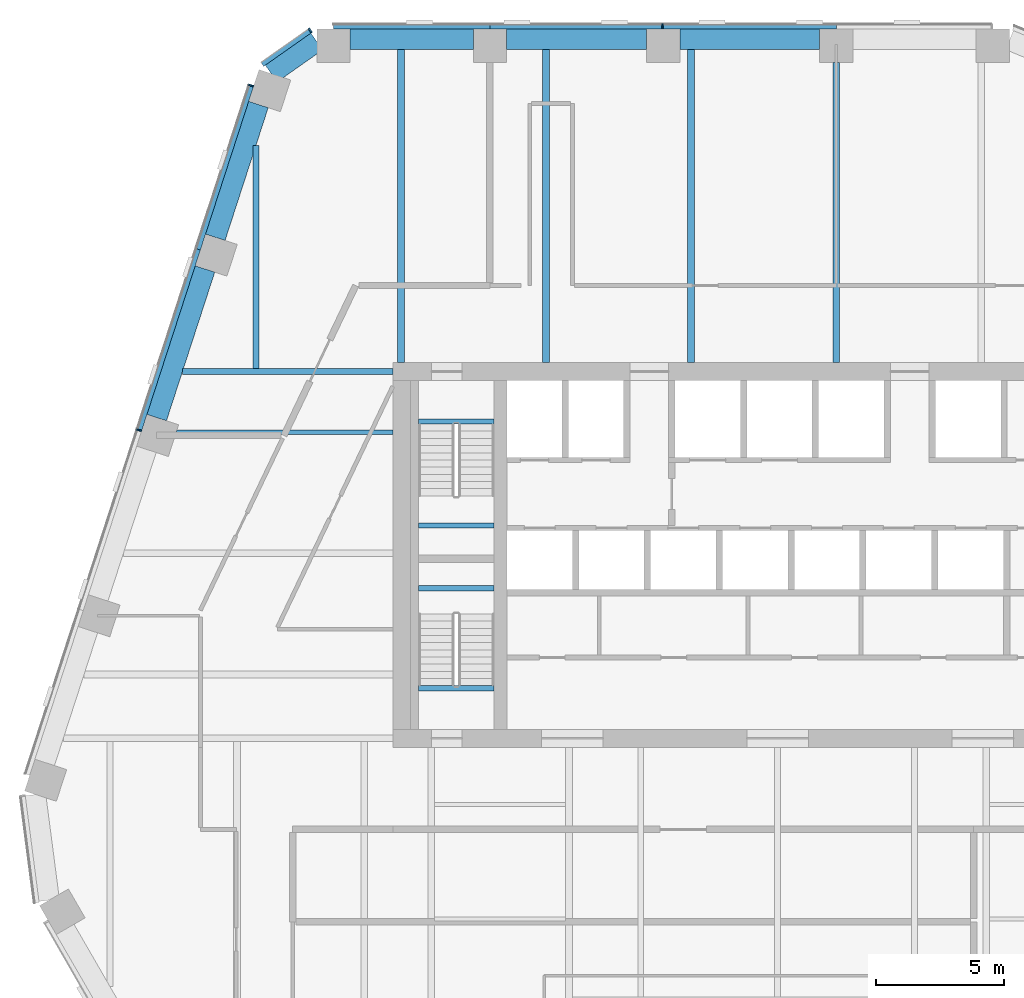
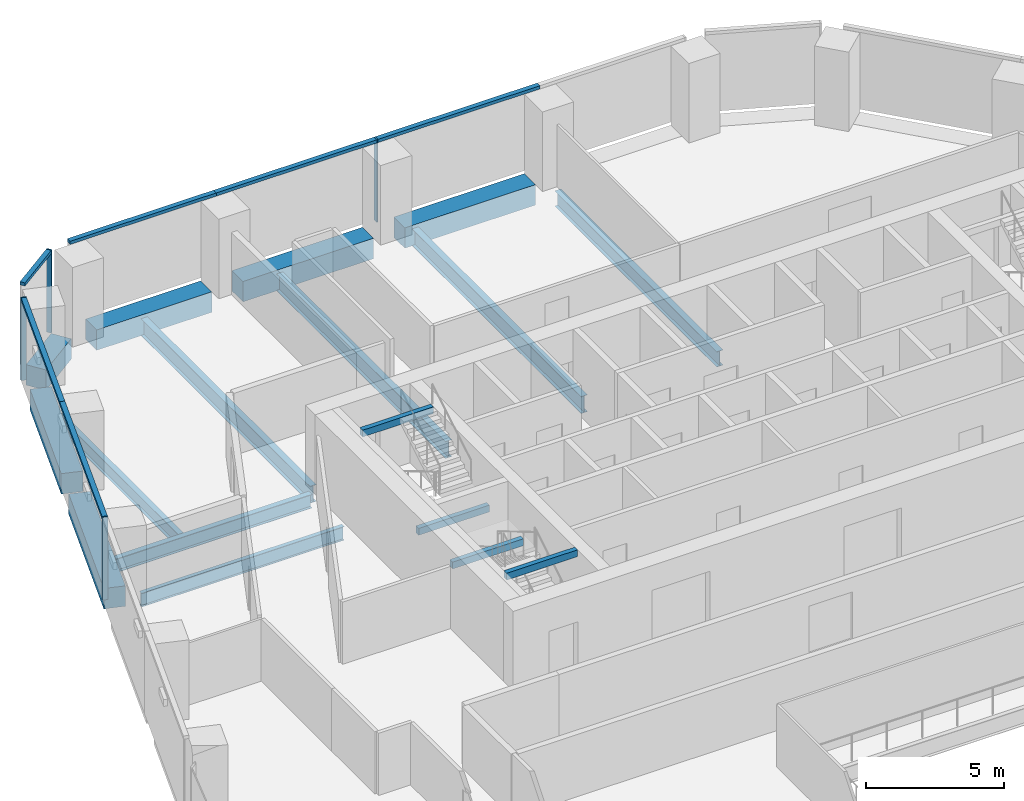
# One storey, part 7 of 17: 17 beams, 10 members, 3 elements without a shape of their own.
"""IFC4 building model written with IfcOpenShell, lengths in metres."""

from ifc_helpers import new_model, si_unit, direction, frame, origin, origin_2d, place, context, subcontext, project, spatial, rectangle, i_section, extrude, material, layer, layer_set, material_profile, profile_set, type_object, element, aggregate, save


model = new_model("IFC4")

# Units and contexts
model_context = context("Model", 3, precision=1e-05, world=origin(), true_north=direction((0.0, 1.0)))
body_context = subcontext(model_context, "Body", "Model", "MODEL_VIEW")
ifc_project = project(units=[si_unit("LENGTHUNIT", "METRE"), si_unit("AREAUNIT", "SQUARE_METRE"), si_unit("VOLUMEUNIT", "CUBIC_METRE"), si_unit("PLANEANGLEUNIT", "RADIAN"), si_unit("MASSUNIT", "GRAM", prefix="KILO")], contexts=[model_context])

# Site, building, storey
site_placement = place(None, origin())
site = spatial("IfcSite", under=ifc_project, at=site_placement, CompositionType="ELEMENT")
building_placement = place(site_placement, origin())
building = spatial("IfcBuilding", under=site, at=building_placement, Name="Isthmus Gate Tower", CompositionType="ELEMENT")
storey_placement = place(building_placement, frame((0.0, 0.0, 200.0)))
storey = spatial("IfcBuildingStorey", under=building, at=storey_placement, Name="L50", CompositionType="ELEMENT", Elevation=200.0)

# Curtain wall, member
ifc_material_1 = material(Name="Aluminium, pale champagne anodised", Category="aluminium")
ifc_layer = layer(ifc_material_1, 0.199951171875)
ifc_layer_set = layer_set([ifc_layer], Name="CW-1 UNITISED CURTAIN WALL 200 DEEP")
curtain_wall_type = type_object("IfcCurtainWallType", Name="CW-1 UNITISED CURTAIN WALL 200 DEEP", PredefinedType="NOTDEFINED", material=ifc_layer_set)
curtain_wall_1_placement = place(storey_placement, origin())
curtain_wall_1 = element("IfcCurtainWall", 1, at=curtain_wall_1_placement, inside=storey, type_object=curtain_wall_type, Name="CW-1 N L50", PredefinedType="NOTDEFINED")
ifc_material_2 = material(Name="Aluminium, pale champagne anodised", Category="aluminium")
ifc_material_profile_1 = material_profile(ifc_material_2, rectangle(XDim=0.06005859375, YDim=0.199951171875, at=origin_2d()), Name="60x200")
ifc_profile_set_1 = profile_set([ifc_material_profile_1], Name="Aluminium, pale champagne anodised")
member_type_1 = type_object("IfcMemberType", Name="CW-1 MULLION 60 X 200", PredefinedType="MULLION", material=ifc_profile_set_1)
member_1_placement = place(storey_placement, frame((-4.49169921875, 28.10009765625, 0.0), z_axis=(0.0, 0.0, 1.0), x_axis=(-1.0, 0.0, 0.0)))
member_1 = element("IfcMember", 2, at=member_1_placement, type_object=member_type_1, Name="CW-1 mullion", PredefinedType="MULLION", context=body_context, shape_type="SweptSolid", body=[
    extrude(rectangle(XDim=0.06005859375, YDim=0.199951171875, at=origin_2d()), origin(), (0.0, 0.0, 1.0), 3.64990234375),
])

curtain_wall_2_placement = place(storey_placement, origin())
curtain_wall_2 = element("IfcCurtainWall", 3, at=curtain_wall_2_placement, inside=storey, type_object=curtain_wall_type, Name="CW-1 N-NW L50", PredefinedType="NOTDEFINED")
member_2_placement = place(storey_placement, frame((-18.216552734375, 27.943115234375, 0.0), z_axis=(0.0, 0.0, 1.0), x_axis=(-0.81785959165, -0.57541783805, 0.0)))
member_2 = element("IfcMember", 4, at=member_2_placement, type_object=member_type_1, Name="CW-1 mullion", PredefinedType="MULLION", context=body_context, shape_type="SweptSolid", body=[
    extrude(rectangle(XDim=0.06005859375, YDim=0.199951171875, at=origin_2d()), origin(), (0.0, 0.0, 1.0), 3.64990234375),
])

# Curtain wall, members
curtain_wall_3_placement = place(storey_placement, origin())
curtain_wall_3 = element("IfcCurtainWall", 5, at=curtain_wall_3_placement, inside=storey, type_object=curtain_wall_type, Name="CW-1 NW L50", PredefinedType="NOTDEFINED")
member_3_placement = place(storey_placement, frame((-20.52001953125, 25.799072265625, 0.0), z_axis=(0.0, 0.0, 1.0), x_axis=(-0.309016994375, -0.951056516295, 0.0)))
member_3 = element("IfcMember", 6, at=member_3_placement, type_object=member_type_1, Name="CW-1 mullion", PredefinedType="MULLION", context=body_context, shape_type="SweptSolid", body=[
    extrude(rectangle(XDim=0.06005859375, YDim=0.199951171875, at=origin_2d()), origin(), (0.0, 0.0, 1.0), 3.64990234375),
])
member_4_placement = place(storey_placement, frame((-24.886962890625, 12.359130859375, 0.0), z_axis=(0.0, 0.0, 1.0), x_axis=(-0.309016994375, -0.951056516295, 0.0)))
member_4 = element("IfcMember", 7, at=member_4_placement, type_object=member_type_1, Name="CW-1 mullion", PredefinedType="MULLION", context=body_context, shape_type="SweptSolid", body=[
    extrude(rectangle(XDim=0.06005859375, YDim=0.199951171875, at=origin_2d()), origin(), (0.0, 0.0, 1.0), 3.64990234375),
])

# Member
ifc_material_3 = material(Name="Aluminium, pale champagne anodised", Category="aluminium")
ifc_material_profile_2 = material_profile(ifc_material_3, rectangle(XDim=0.199951171875, YDim=0.139892578125, at=origin_2d()), Name="200x140")
ifc_profile_set_2 = profile_set([ifc_material_profile_2], Name="Aluminium, pale champagne anodised")
member_type_2 = type_object("IfcMemberType", Name="CW-1 TRANSOM 200 X 140", PredefinedType="USERDEFINED", material=ifc_profile_set_2)
member_5_placement = place(storey_placement, frame((2.288330078125, 28.10009765625, 3.580078125), z_axis=(-1.0, 0.0, 0.0), x_axis=(0.0, -1.0, 0.0)))
member_5 = element("IfcMember", 8, at=member_5_placement, type_object=member_type_2, Name="CW-1 transom", ObjectType="TRANSOM", PredefinedType="USERDEFINED", context=body_context, shape_type="SweptSolid", body=[
    extrude(rectangle(XDim=0.199951171875, YDim=0.139892578125, at=origin_2d()), origin(), (0.0, 0.0, 1.0), 6.75),
])

member_6_placement = place(storey_placement, frame((-4.521728515625, 28.10009765625, 3.580078125), z_axis=(-1.0, 0.0, 0.0), x_axis=(0.0, -1.0, 0.0)))
member_6 = element("IfcMember", 9, at=member_6_placement, type_object=member_type_2, Name="CW-1 transom", ObjectType="TRANSOM", PredefinedType="USERDEFINED", context=body_context, shape_type="SweptSolid", body=[
    extrude(rectangle(XDim=0.199951171875, YDim=0.139892578125, at=origin_2d()), origin(), (0.0, 0.0, 1.0), 6.690185546875),
])

member_7_placement = place(storey_placement, frame((-11.2119140625, 28.10009765625, 3.580078125), z_axis=(-1.0, 0.0, 0.0), x_axis=(0.0, -1.0, 0.0)))
member_7 = element("IfcMember", 10, at=member_7_placement, type_object=member_type_2, Name="CW-1 transom", ObjectType="TRANSOM", PredefinedType="USERDEFINED", context=body_context, shape_type="SweptSolid", body=[
    extrude(rectangle(XDim=0.199951171875, YDim=0.139892578125, at=origin_2d()), origin(), (0.0, 0.0, 1.0), 6.10009765625),
])

aggregate(curtain_wall_1, [member_5, member_1, member_6, member_7])

member_8_placement = place(storey_placement, frame((-18.2412109375, 27.92578125, 3.580078125), z_axis=(-0.817868595604, -0.575405040233, 0.0), x_axis=(0.575405040233, -0.817868595604, 0.0)))
member_8 = element("IfcMember", 11, at=member_8_placement, type_object=member_type_2, Name="CW-1 transom", ObjectType="TRANSOM", PredefinedType="USERDEFINED", context=body_context, shape_type="SweptSolid", body=[
    extrude(rectangle(XDim=0.199951171875, YDim=0.139892578125, at=origin_2d()), origin(), (0.0, 0.0, 1.0), 2.258544921875),
])

aggregate(curtain_wall_2, [member_2, member_8])

member_9_placement = place(storey_placement, frame((-20.529296875, 25.7705078125, 3.580078125), z_axis=(-0.309015834351, -0.951056893209, 0.0), x_axis=(0.951056893209, -0.309015834351, 0.0)))
member_9 = element("IfcMember", 12, at=member_9_placement, type_object=member_type_2, Name="CW-1 transom", ObjectType="TRANSOM", PredefinedType="USERDEFINED", context=body_context, shape_type="SweptSolid", body=[
    extrude(rectangle(XDim=0.199951171875, YDim=0.139892578125, at=origin_2d()), origin(), (0.0, 0.0, 1.0), 6.6806640625),
])

member_10_placement = place(storey_placement, frame((-22.59375, 19.416748046875, 3.580078125), z_axis=(-0.309024076379, -0.951054215183, 0.0), x_axis=(0.951054215183, -0.309024076379, 0.0)))
member_10 = element("IfcMember", 13, at=member_10_placement, type_object=member_type_2, Name="CW-1 transom", ObjectType="TRANSOM", PredefinedType="USERDEFINED", context=body_context, shape_type="SweptSolid", body=[
    extrude(rectangle(XDim=0.199951171875, YDim=0.139892578125, at=origin_2d()), origin(), (0.0, 0.0, 1.0), 7.390869140625),
])

aggregate(curtain_wall_3, [member_3, member_9, member_10, member_4])

# Beams
ifc_material_4 = material(Name="Concrete f'c 60 MPa", Category="concrete")
ifc_material_profile_3 = material_profile(ifc_material_4, rectangle(XDim=0.800048828125, YDim=0.89990234375, at=origin_2d()), Name="RC 800X900")
ifc_profile_set_3 = profile_set([ifc_material_profile_3], Name="Concrete f'c 60 MPa")
beam_type_1 = type_object("IfcBeamType", Name="RC SPANDREL 800 X 900", PredefinedType="SPANDREL", material=ifc_profile_set_3)
beam_1_placement = place(storey_placement, frame((-24.201416015625, 12.851318359375, -0.449951171875), z_axis=(0.309039848514, 0.951049090232, 0.0), x_axis=(-0.951049090232, 0.309039848514, 0.0)))
element("IfcBeam", 14, at=beam_1_placement, inside=storey, type_object=beam_type_1, Name="str-spandrel-L50-23", PredefinedType="SPANDREL", context=body_context, shape_type="SweptSolid", body=[
    extrude(rectangle(XDim=0.800048828125, YDim=0.89990234375, at=origin_2d()), origin(), (0.0, 0.0, 1.0), 6.0908203125),
])
beam_2_placement = place(storey_placement, frame((-21.91748046875, 19.88037109375, -0.449951171875), z_axis=(0.309030267747, 0.951052203413, 0.0), x_axis=(-0.951052203413, 0.309030267747, 0.0)))
element("IfcBeam", 15, at=beam_2_placement, inside=storey, type_object=beam_type_1, Name="str-spandrel-L50-24", PredefinedType="SPANDREL", context=body_context, shape_type="SweptSolid", body=[
    extrude(rectangle(XDim=0.800048828125, YDim=0.89990234375, at=origin_2d()), origin(), (0.0, 0.0, 1.0), 5.44091796875),
])
beam_3_placement = place(storey_placement, frame((-19.7392578125, 26.260498046875, -0.449951171875), z_axis=(0.817857331203, 0.575421050882, 0.0), x_axis=(-0.575421050882, 0.817857331203, 0.0)))
element("IfcBeam", 16, at=beam_3_placement, inside=storey, type_object=beam_type_1, Name="str-spandrel-L50-25", PredefinedType="SPANDREL", context=body_context, shape_type="SweptSolid", body=[
    extrude(rectangle(XDim=0.800048828125, YDim=0.89990234375, at=origin_2d()), origin(), (0.0, 0.0, 1.0), 2.173095703125),
])
beam_4_placement = place(storey_placement, frame((-16.661865234375, 27.60009765625, -0.449951171875), z_axis=(1.0, 0.0, 0.0), x_axis=(0.0, 1.0, 0.0)))
element("IfcBeam", 17, at=beam_4_placement, inside=storey, type_object=beam_type_1, Name="str-spandrel-L50-26", PredefinedType="SPANDREL", context=body_context, shape_type="SweptSolid", body=[
    extrude(rectangle(XDim=0.800048828125, YDim=0.89990234375, at=origin_2d()), origin(), (0.0, 0.0, 1.0), 4.800048828125),
])
beam_5_placement = place(storey_placement, frame((-10.561767578125, 27.60009765625, -0.449951171875), z_axis=(1.0, 0.0, 0.0), x_axis=(0.0, 1.0, 0.0)))
element("IfcBeam", 18, at=beam_5_placement, inside=storey, type_object=beam_type_1, Name="str-spandrel-L50-27", PredefinedType="SPANDREL", context=body_context, shape_type="SweptSolid", body=[
    extrude(rectangle(XDim=0.800048828125, YDim=0.89990234375, at=origin_2d()), origin(), (0.0, 0.0, 1.0), 5.449951171875),
])
beam_6_placement = place(storey_placement, frame((-3.811767578125, 27.60009765625, -0.449951171875), z_axis=(1.0, 0.0, 0.0), x_axis=(0.0, 1.0, 0.0)))
element("IfcBeam", 19, at=beam_6_placement, inside=storey, type_object=beam_type_1, Name="str-spandrel-L50-28", PredefinedType="SPANDREL", context=body_context, shape_type="SweptSolid", body=[
    extrude(rectangle(XDim=0.800048828125, YDim=0.89990234375, at=origin_2d()), origin(), (0.0, 0.0, 1.0), 5.4501953125),
])
ifc_material_5 = material(Name="Concrete f'c 40 MPa", Category="concrete")
ifc_material_profile_4 = material_profile(ifc_material_5, rectangle(XDim=0.199951171875, YDim=0.300048828125, at=origin_2d()), Name="STAIR LANDING BEAM RC 200 X 300")
ifc_profile_set_4 = profile_set([ifc_material_profile_4], Name="Concrete f'c 40 MPa")
beam_type_2 = type_object("IfcBeamType", Name="STAIR LANDING BEAM RC 200 X 300", PredefinedType="BEAM", material=ifc_profile_set_4)
for number, where, z_axis, x_axis, name in (
    (20, (-14.0, 8.64990234375, 1.47509765625), (1.0, 0.0, 0.0), (0.0, 1.0, 0.0), "L50 ST1 landing beam 1"),
    (21, (-14.0, 12.7001953125, 3.35009765625), (1.0, 0.0, 0.0), (0.0, 1.0, 0.0), "L50 ST1 floor-edge seat beam"),
    (22, (-14.0, 6.199951171875, 1.47509765625), (1.0, 0.0, 0.0), (0.0, 1.0, 0.0), "L50 ST7 landing beam 1"),
    (23, (-14.0, 2.2998046875, 3.35009765625), (1.0, 0.0, 0.0), (0.0, 1.0, 0.0), "L50 ST7 floor-edge seat beam"),
):
    element("IfcBeam", number, at=place(storey_placement, frame(where, z_axis=z_axis, x_axis=x_axis)), inside=storey, type_object=beam_type_2, Name=name, PredefinedType="BEAM", context=body_context, shape_type="SweptSolid", body=[
        extrude(rectangle(XDim=0.199951171875, YDim=0.300048828125, at=origin_2d()), origin(), (0.0, 0.0, 1.0), 2.949951171875),
    ])
ifc_material_6 = material(Name="Structural steel ASTM A992 Gr 50", Category="steel")
ifc_material_profile_5 = material_profile(ifc_material_6, i_section(OverallWidth=0.177734375, OverallDepth=0.60009765625, WebThickness=0.009521484375, FlangeThickness=0.0126953125, at=origin_2d()), Name="W24X55")
ifc_profile_set_5 = profile_set([ifc_material_profile_5], Name="Structural steel ASTM A992 Gr 50")
beam_type_3 = type_object("IfcBeamType", Name="STEEL FLOOR BEAM W24X55", PredefinedType="JOIST", material=ifc_profile_set_5)
beam_7_placement = place(storey_placement, frame((-23.43798828125, 12.28857421875, -0.449951171875), z_axis=(1.0, 0.0, 0.0), x_axis=(0.0, 1.0, 0.0)))
element("IfcBeam", 24, at=beam_7_placement, inside=storey, type_object=beam_type_3, Name="str-beam-L50-01-02", PredefinedType="JOIST", context=body_context, shape_type="SweptSolid", body=[
    extrude(i_section(OverallWidth=0.177734375, OverallDepth=0.60009765625, WebThickness=0.009521484375, FlangeThickness=0.0126953125, at=origin_2d()), origin(), (0.0, 0.0, 1.0), 8.43798828125),
])
ifc_material_7 = material(Name="Structural steel ASTM A992 Gr 50", Category="steel")
ifc_material_profile_6 = material_profile(ifc_material_7, i_section(OverallWidth=0.228515625, OverallDepth=0.603271484375, WebThickness=0.010986328125, FlangeThickness=0.014404296875, at=origin_2d()), Name="W24X68")
ifc_profile_set_6 = profile_set([ifc_material_profile_6], Name="Structural steel ASTM A992 Gr 50")
beam_type_4 = type_object("IfcBeamType", Name="STEEL FLOOR BEAM W24X68", PredefinedType="JOIST", material=ifc_profile_set_6)
beam_8_placement = place(storey_placement, frame((-20.332763671875, 14.764404296875, -0.45166015625), z_axis=(0.0, 1.0, 0.0), x_axis=(-1.0, 0.0, 0.0)))
element("IfcBeam", 25, at=beam_8_placement, inside=storey, type_object=beam_type_4, Name="str-beam-L50-05-00", PredefinedType="JOIST", context=body_context, shape_type="SweptSolid", body=[
    extrude(i_section(OverallWidth=0.228515625, OverallDepth=0.603271484375, WebThickness=0.010986328125, FlangeThickness=0.014404296875, at=origin_2d()), origin(), (0.0, 0.0, 1.0), 8.69873046875),
])
ifc_material_8 = material(Name="Structural steel ASTM A992 Gr 50", Category="steel")
ifc_material_profile_7 = material_profile(ifc_material_8, i_section(OverallWidth=0.25390625, OverallDepth=0.679443359375, WebThickness=0.010986328125, FlangeThickness=0.015869140625, at=origin_2d()), Name="W27X84")
ifc_profile_set_7 = profile_set([ifc_material_profile_7], Name="Structural steel ASTM A992 Gr 50")
beam_type_5 = type_object("IfcBeamType", Name="STEEL FLOOR BEAM W27X84", PredefinedType="JOIST", material=ifc_profile_set_7)
beam_9_placement = place(storey_placement, frame((2.2783203125, 15.0, -0.48974609375), z_axis=(0.0, 1.0, 0.0), x_axis=(-1.0, 0.0, 0.0)))
element("IfcBeam", 26, at=beam_9_placement, inside=storey, type_object=beam_type_5, Name="str-beam-L50-05-04", PredefinedType="JOIST", context=body_context, shape_type="SweptSolid", body=[
    extrude(i_section(OverallWidth=0.25390625, OverallDepth=0.679443359375, WebThickness=0.010986328125, FlangeThickness=0.015869140625, at=origin_2d()), origin(), (0.0, 0.0, 1.0), 11.699951171875),
])
ifc_material_9 = material(Name="Structural steel ASTM A992 Gr 50", Category="steel")
ifc_material_profile_8 = material_profile(ifc_material_9, i_section(OverallWidth=0.263427734375, OverallDepth=0.749267578125, WebThickness=0.0126953125, FlangeThickness=0.015869140625, at=origin_2d()), Name="W30X90")
ifc_profile_set_8 = profile_set([ifc_material_profile_8], Name="Structural steel ASTM A992 Gr 50")
beam_type_6 = type_object("IfcBeamType", Name="STEEL FLOOR BEAM W30X90", PredefinedType="JOIST", material=ifc_profile_set_8)
for number, where, z_axis, x_axis, name in (
    (27, (-14.679931640625, 15.0, -0.524658203125), (0.0, 1.0, 0.0), (-1.0, 0.0, 0.0), "str-beam-L50-05-01"),
    (28, (-9.027099609375, 15.0, -0.524658203125), (0.0, 1.0, 0.0), (-1.0, 0.0, 0.0), "str-beam-L50-05-02"),
    (29, (-3.37451171875, 15.0, -0.524658203125), (0.0, 1.0, 0.0), (-1.0, 0.0, 0.0), "str-beam-L50-05-03"),
):
    element("IfcBeam", number, at=place(storey_placement, frame(where, z_axis=z_axis, x_axis=x_axis)), inside=storey, type_object=beam_type_6, Name=name, PredefinedType="JOIST", context=body_context, shape_type="SweptSolid", body=[
        extrude(i_section(OverallWidth=0.263427734375, OverallDepth=0.749267578125, WebThickness=0.0126953125, FlangeThickness=0.015869140625, at=origin_2d()), origin(), (0.0, 0.0, 1.0), 12.199951171875),
    ])
ifc_material_10 = material(Name="Structural steel ASTM A992 Gr 50", Category="steel")
ifc_material_profile_9 = material_profile(ifc_material_10, i_section(OverallWidth=0.228515625, OverallDepth=0.6064453125, WebThickness=0.010986328125, FlangeThickness=0.017578125, at=origin_2d()), Name="W24X76")
ifc_profile_set_9 = profile_set([ifc_material_profile_9], Name="Structural steel ASTM A992 Gr 50")
beam_type_7 = type_object("IfcBeamType", Name="STEEL GIRDER W24X76", PredefinedType="BEAM", material=ifc_profile_set_9)
beam_10_placement = place(storey_placement, frame((-15.0, 14.64990234375, -0.453125), z_axis=(-1.0, 0.0, 0.0), x_axis=(0.0, -1.0, 0.0)))
element("IfcBeam", 30, at=beam_10_placement, inside=storey, type_object=beam_type_7, Name="str-girder-L50-15", PredefinedType="BEAM", context=body_context, shape_type="SweptSolid", body=[
    extrude(i_section(OverallWidth=0.228515625, OverallDepth=0.6064453125, WebThickness=0.010986328125, FlangeThickness=0.017578125, at=origin_2d()), origin(), (0.0, 0.0, 1.0), 8.1962890625),
])

save(model, "model.ifc")
